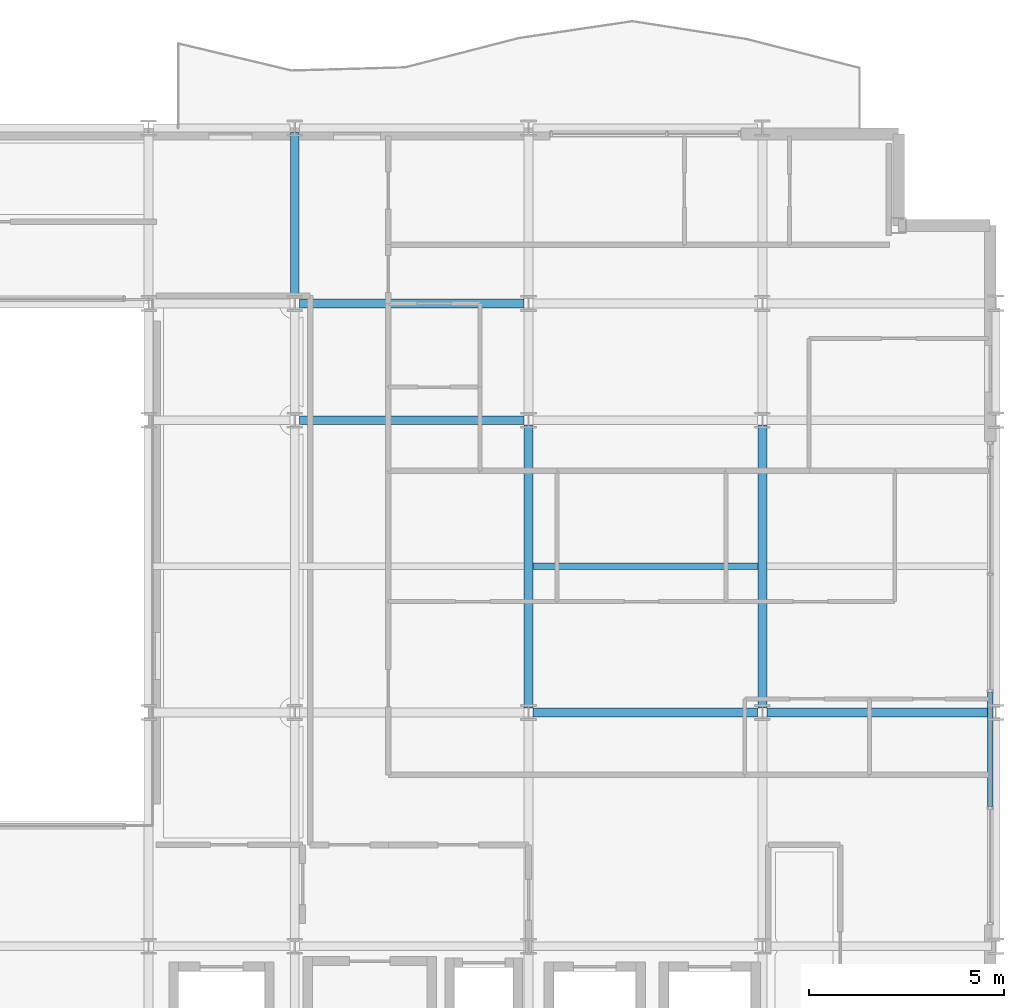
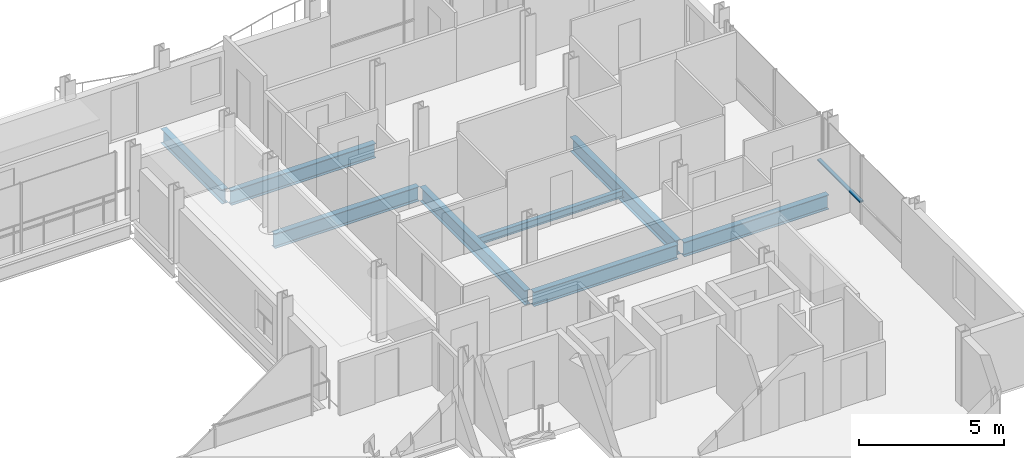
# One storey, part 20 of 41: 8 beams, 1 member, 1 element without a shape of its own.
"""IFC4 building model written with IfcOpenShell, lengths in metres."""

from ifc_helpers import new_model, si_unit, direction, frame, origin, origin_2d, place, context, subcontext, project, spatial, hollow_rectangle, i_section, extrude, material, layer, layer_set, material_profile, profile_set, type_object, element, aggregate, save


model = new_model("IFC4")

# Units and contexts
model_context = context("Model", 3, precision=1e-05, world=origin(), true_north=direction((0.0, 1.0)))
body_context = subcontext(model_context, "Body", "Model", "MODEL_VIEW")
ifc_project = project(units=[si_unit("LENGTHUNIT", "METRE"), si_unit("AREAUNIT", "SQUARE_METRE"), si_unit("VOLUMEUNIT", "CUBIC_METRE"), si_unit("PLANEANGLEUNIT", "RADIAN"), si_unit("MASSUNIT", "GRAM", prefix="KILO")], contexts=[model_context])

# Site, building, storey
site_placement = place(None, origin())
site = spatial("IfcSite", under=ifc_project, at=site_placement, CompositionType="ELEMENT")
building_placement = place(site_placement, origin())
building = spatial("IfcBuilding", under=site, at=building_placement, Name="Brevholm Reach", CompositionType="ELEMENT")
storey_placement = place(building_placement, frame((0.0, 0.0, 157.300048828125)))
storey = spatial("IfcBuildingStorey", under=building, at=storey_placement, Name="L47", CompositionType="ELEMENT", Elevation=157.300048828125)

# Beams
ifc_material_1 = material(Name="Structural Steel S355J2", Category="steel")
ifc_material_profile_1 = material_profile(ifc_material_1, i_section(OverallWidth=0.1650390625, OverallDepth=0.303466796875, WebThickness=0.006103515625, FlangeThickness=0.01025390625, FilletRadius=0.0087890625, at=origin_2d()), Name="UKB 305x165x40")
ifc_profile_set_1 = profile_set([ifc_material_profile_1], Name="Structural Steel S355J2")
beam_type_1 = type_object("IfcBeamType", Name="BM-B305", PredefinedType="BEAM", material=ifc_profile_set_1)
beam_1_placement = place(storey_placement, frame((48.114501953125, 19.75, -0.371826171875), z_axis=(1.0, 0.0, 0.0), x_axis=(0.0, 1.0, 0.0)))
element("IfcBeam", 1, at=beam_1_placement, inside=storey, type_object=beam_type_1, Name="L47 Composite Secondary Floor Beam", PredefinedType="BEAM", context=body_context, shape_type="SweptSolid", body=[
    extrude(i_section(OverallWidth=0.1650390625, OverallDepth=0.303466796875, WebThickness=0.006103515625, FlangeThickness=0.01025390625, FilletRadius=0.0087890625, at=origin_2d()), origin(), (0.0, 0.0, 1.0), 5.77099609375),
])
ifc_material_2 = material(Name="Structural Steel S355J2", Category="steel")
ifc_material_profile_2 = material_profile(ifc_material_2, i_section(OverallWidth=0.22900390625, OverallDepth=0.6123046875, WebThickness=0.011962890625, FlangeThickness=0.01953125, FilletRadius=0.0126953125, at=origin_2d()), Name="UKB 610x229x125")
ifc_profile_set_2 = profile_set([ifc_material_profile_2], Name="Structural Steel S355J2")
beam_type_2 = type_object("IfcBeamType", Name="BM-SP610", PredefinedType="SPANDREL", material=ifc_profile_set_2)
for number, where, z_axis, x_axis, name in (
    (2, (48.1201171875, 16.0, -0.526123046875), (1.0, 0.0, 0.0), (0.0, 1.0, 0.0), "L47 SP-01 Framing Beam"),
    (3, (54.1201171875, 16.0, -0.526123046875), (1.0, 0.0, 0.0), (0.0, 1.0, 0.0), "L47 SP-01 Framing Beam"),
    (4, (42.1201171875, 23.5, -0.526123046875), (1.0, 0.0, 0.0), (0.0, 1.0, 0.0), "L47 SP-01 Framing Beam"),
    (5, (42.1201171875, 26.5, -0.526123046875), (1.0, 0.0, 0.0), (0.0, 1.0, 0.0), "L47 SP-01 Framing Beam"),
):
    element("IfcBeam", number, at=place(storey_placement, frame(where, z_axis=z_axis, x_axis=x_axis)), inside=storey, type_object=beam_type_2, Name=name, PredefinedType="SPANDREL", context=body_context, shape_type="SweptSolid", body=[
        extrude(i_section(OverallWidth=0.22900390625, OverallDepth=0.6123046875, WebThickness=0.011962890625, FlangeThickness=0.01953125, FilletRadius=0.0126953125, at=origin_2d()), origin(), (0.0, 0.0, 1.0), 5.759765625),
    ])
beam_2_placement = place(storey_placement, frame((42.0, 26.6201171875, -0.526123046875), z_axis=(0.0, 1.0, 0.0), x_axis=(-1.0, 0.0, 0.0)))
element("IfcBeam", 6, at=beam_2_placement, inside=storey, type_object=beam_type_2, Name="L47 SP-01 Framing Beam", PredefinedType="SPANDREL", context=body_context, shape_type="SweptSolid", body=[
    extrude(i_section(OverallWidth=0.22900390625, OverallDepth=0.6123046875, WebThickness=0.011962890625, FlangeThickness=0.01953125, FilletRadius=0.0126953125, at=origin_2d()), origin(), (0.0, 0.0, 1.0), 4.259765625),
])
for number, where, z_axis, x_axis, name in (
    (7, (48.0, 16.1201171875, -0.526123046875), (0.0, 1.0, 0.0), (-1.0, 0.0, 0.0), "L47 SP-01 Framing Beam"),
    (8, (54.0, 16.1201171875, -0.526123046875), (0.0, 1.0, 0.0), (-1.0, 0.0, 0.0), "L47 SP-01 Framing Beam"),
):
    element("IfcBeam", number, at=place(storey_placement, frame(where, z_axis=z_axis, x_axis=x_axis)), inside=storey, type_object=beam_type_2, Name=name, PredefinedType="SPANDREL", context=body_context, shape_type="SweptSolid", body=[
        extrude(i_section(OverallWidth=0.22900390625, OverallDepth=0.6123046875, WebThickness=0.011962890625, FlangeThickness=0.01953125, FilletRadius=0.0126953125, at=origin_2d()), origin(), (0.0, 0.0, 1.0), 7.259765625),
    ])

# Curtain wall, member
ifc_material_3 = material(Name="Dark Anodised Aluminium 6063-T6 and Solar-Control Glass", Category="aluminium")
ifc_layer = layer(ifc_material_3, 0.14990234375)
ifc_layer_set = layer_set([ifc_layer], Name="Dark Anodised Aluminium 6063-T6 and Solar-Control Glass")
curtain_wall_type = type_object("IfcCurtainWallType", Name="CW-01", PredefinedType="NOTDEFINED", material=ifc_layer_set)
curtain_wall_placement = place(storey_placement, origin())
curtain_wall = element("IfcCurtainWall", 9, at=curtain_wall_placement, inside=storey, type_object=curtain_wall_type, Name="L47 Curtain Wall CW-01", PredefinedType="NOTDEFINED")
ifc_material_4 = material(Name="Dark Anodised Aluminium 6063-T6", Category="aluminium")
ifc_material_profile_3 = material_profile(ifc_material_4, hollow_rectangle(XDim=0.06494140625, YDim=0.14990234375, WallThickness=0.0048828125, InnerFilletRadius=0.0048828125, OuterFilletRadius=0.010009765625, at=origin_2d()), Name="RHS 150x65x5")
ifc_profile_set_3 = profile_set([ifc_material_profile_3], Name="Dark Anodised Aluminium 6063-T6")
member_type = type_object("IfcMemberType", Name="CWT-150", PredefinedType="NOTDEFINED", material=ifc_profile_set_3)
member_placement = place(storey_placement, frame((59.85009765625, 13.58251953125, 0.89990234375), z_axis=(0.0, 1.0, 0.0), x_axis=(0.0, 0.0, 1.0)))
member = element("IfcMember", 10, at=member_placement, type_object=member_type, Name="CT-150 Transom 2.1", ObjectType="TRANSOM", PredefinedType="USERDEFINED", context=body_context, shape_type="SweptSolid", body=[
    extrude(hollow_rectangle(XDim=0.06494140625, YDim=0.14990234375, WallThickness=0.0048828125, InnerFilletRadius=0.0048828125, OuterFilletRadius=0.010009765625, at=origin_2d()), origin(), (0.0, 0.0, 1.0), 2.93505859375),
])
aggregate(curtain_wall, [member])

save(model, "model.ifc")
